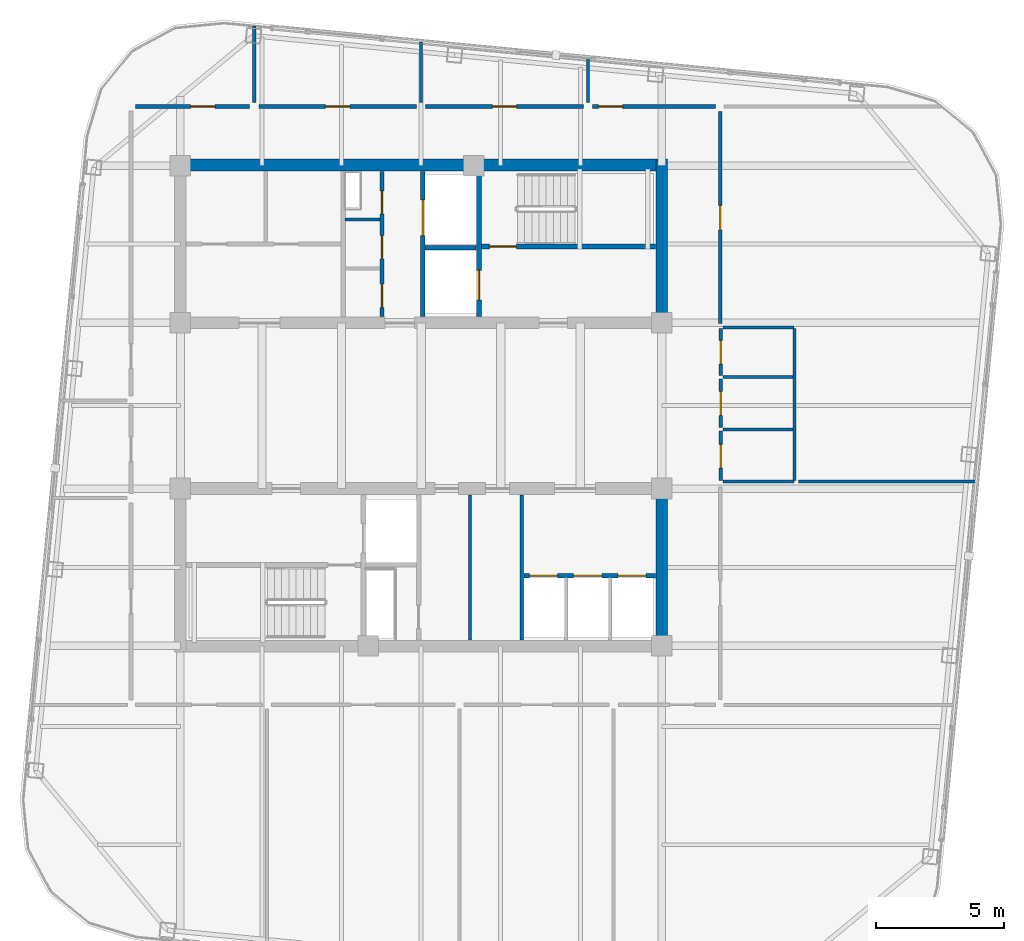
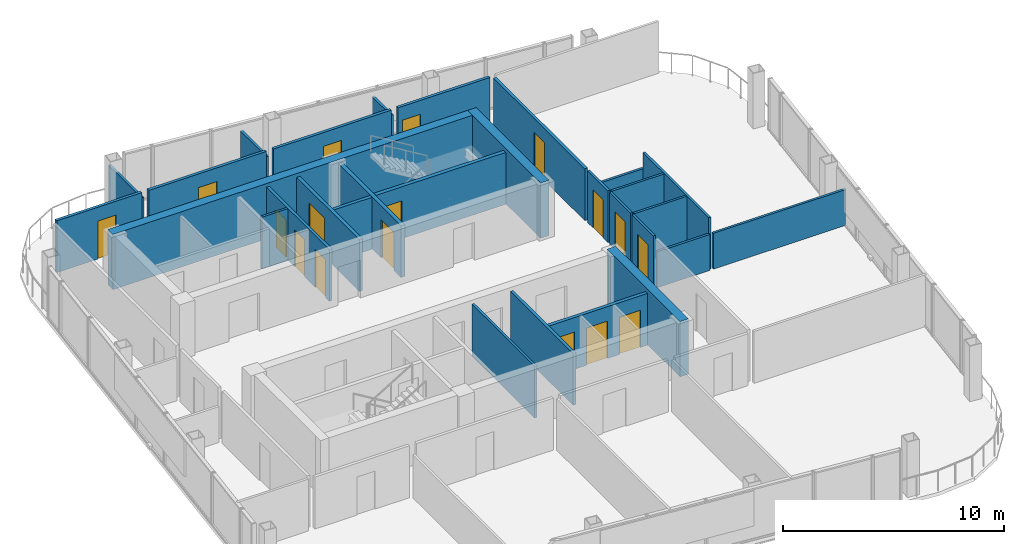
# One storey, part 18 of 23: 29 walls, 17 doors, 17 openings.
"""IFC4 building model written with IfcOpenShell, lengths in metres."""

from ifc_helpers import new_model, si_unit, direction, frame, frame_2d, origin, place, context, subcontext, project, spatial, rectangle, extrude, material, layer, layer_set, type_object, element, fill, save


model = new_model("IFC4")

# Units and contexts
model_context = context("Model", 3, precision=1e-05, world=origin(), true_north=direction((0.0, 1.0)))
body_context = subcontext(model_context, "Body", "Model", "MODEL_VIEW")
ifc_project = project(units=[si_unit("LENGTHUNIT", "METRE"), si_unit("AREAUNIT", "SQUARE_METRE"), si_unit("VOLUMEUNIT", "CUBIC_METRE"), si_unit("PLANEANGLEUNIT", "RADIAN"), si_unit("MASSUNIT", "GRAM", prefix="KILO")], contexts=[model_context])

# Site, building, storey
site_placement = place(None, origin())
site = spatial("IfcSite", under=ifc_project, at=site_placement, CompositionType="ELEMENT")
building_placement = place(site_placement, origin())
building = spatial("IfcBuilding", under=site, at=building_placement, Name="Qhalaya Broadcast Tower", CompositionType="ELEMENT")
storey_placement = place(building_placement, frame((0.0, 0.0, 261.14990234375)))
storey = spatial("IfcBuildingStorey", under=building, at=storey_placement, Name="L77", CompositionType="ELEMENT", Elevation=261.14990234375)

# Wall, openings, doors
ifc_material_1 = material(Name="Gypsum Acoustic Partition")
ifc_layer_1 = layer(ifc_material_1, 0.14990234375, Name="Gypsum Acoustic Partition")
ifc_layer_set_1 = layer_set([ifc_layer_1], Name="Gypsum Acoustic Partition")
wall_type_1 = type_object("IfcWallType", Name="Corridor & Tenancy Acoustic Partition 150", PredefinedType="PARTITIONING", material=ifc_layer_set_1)
wall_1_placement = place(storey_placement, frame((-1.52001953125, 4.070068359375, 0.0), z_axis=(0.0, 0.0, 1.0), x_axis=(0.0, 1.0, 0.0)))
wall_1 = element("IfcWall", 1, at=wall_1_placement, inside=storey, type_object=wall_type_1, Name="L77 Partition Wall NCW-SVL", PredefinedType="PARTITIONING", context=body_context, shape_type="SweptSolid", body=[
    extrude(rectangle(XDim=5.659912109375, YDim=0.14990234375, at=frame_2d((2.830078125, 0.0))), origin(), (0.0, 0.0, 1.0), 2.860107421875),
])
opening_1_placement = place(wall_1_placement, frame((4.0, 0.0, 0.0)))
opening_1 = element("IfcOpeningElement", 2, at=opening_1_placement, cuts=wall_1, Name="Opening D06", PredefinedType="OPENING", context=body_context, shape_type="SweptSolid", body=[
    extrude(rectangle(XDim=0.89990234375, YDim=2.050048828125, at=frame_2d((0.449951171875, 1.02490234375))), frame((0.0, 0.0869140625, 0.0), z_axis=(0.0, -1.0, 0.0), x_axis=(1.0, 0.0, 0.0)), (0.0, 0.0, 1.0), 0.173828125),
])
opening_2_placement = place(wall_1_placement, frame((2.25, 0.0, 0.0)))
opening_2 = element("IfcOpeningElement", 3, at=opening_2_placement, cuts=wall_1, Name="Opening D06", PredefinedType="OPENING", context=body_context, shape_type="SweptSolid", body=[
    extrude(rectangle(XDim=0.89990234375, YDim=2.050048828125, at=frame_2d((0.449951171875, 1.02490234375))), frame((0.0, 0.0869140625, 0.0), z_axis=(0.0, -1.0, 0.0), x_axis=(1.0, 0.0, 0.0)), (0.0, 0.0, 1.0), 0.173828125),
])
opening_3_placement = place(wall_1_placement, frame((0.35009765625, 0.0, 0.0)))
opening_3 = element("IfcOpeningElement", 4, at=opening_3_placement, cuts=wall_1, Name="Opening D12", PredefinedType="OPENING", context=body_context, shape_type="SweptSolid", body=[
    extrude(rectangle(XDim=0.919921875, YDim=2.10009765625, at=frame_2d((0.4599609375, 1.050048828125))), frame((0.0, 0.0869140625, 0.0), z_axis=(0.0, -1.0, 0.0), x_axis=(1.0, 0.0, 0.0)), (0.0, 0.0, 1.0), 0.173828125),
])
ifc_material_2 = material(Name="Timber Veneer Acoustic Door", Category="wood")
door_type_1 = type_object("IfcDoorType", Name="Accessible WC & Restroom Door D12", OperationType="NOTDEFINED", PredefinedType="DOOR", material=ifc_material_2)
door_1_placement = place(opening_3_placement, origin())
door_1 = element("IfcDoor", 5, at=door_1_placement, inside=storey, type_object=door_type_1, Name="L77 Door D-NCWC", OperationType="SINGLE_SWING_RIGHT", OverallHeight=2.10009765625, OverallWidth=0.919921875, PredefinedType="DOOR", context=body_context, shape_type="SweptSolid", body=[
    extrude(rectangle(XDim=0.919921875, YDim=2.10009765625, at=frame_2d((0.4599609375, 1.050048828125))), frame((0.0, 0.02490234375, 0.0), z_axis=(0.0, -1.0, 0.0), x_axis=(1.0, 0.0, 0.0)), (0.0, 0.0, 1.0), 0.050048828125),
])
fill(opening_3, door_1)
ifc_material_3 = material(Name="Fire-Rated Steel Door", Category="steel")
door_type_2 = type_object("IfcDoorType", Name="Riser & Electrical Shaft Access Door D06", OperationType="NOTDEFINED", PredefinedType="DOOR", material=ifc_material_3)
door_2_placement = place(opening_1_placement, origin())
door_2 = element("IfcDoor", 6, at=door_2_placement, inside=storey, type_object=door_type_2, Name="L77 Riser Shaft Access Door D-NRSR", OperationType="SINGLE_SWING_RIGHT", OverallHeight=2.050048828125, OverallWidth=0.89990234375, PredefinedType="DOOR", context=body_context, shape_type="SweptSolid", body=[
    extrude(rectangle(XDim=0.89990234375, YDim=2.050048828125, at=frame_2d((0.449951171875, 1.02490234375))), frame((0.0, 0.02490234375, 0.0), z_axis=(0.0, -1.0, 0.0), x_axis=(1.0, 0.0, 0.0)), (0.0, 0.0, 1.0), 0.050048828125),
])
fill(opening_1, door_2)
door_3_placement = place(opening_2_placement, origin())
door_3 = element("IfcDoor", 7, at=door_3_placement, inside=storey, type_object=door_type_2, Name="L77 Door D-NITR", OperationType="SINGLE_SWING_LEFT", OverallHeight=2.050048828125, OverallWidth=0.89990234375, PredefinedType="DOOR", context=body_context, shape_type="SweptSolid", body=[
    extrude(rectangle(XDim=0.89990234375, YDim=2.050048828125, at=frame_2d((0.449951171875, 1.02490234375))), frame((0.0, 0.02490234375, 0.0), z_axis=(0.0, -1.0, 0.0), x_axis=(1.0, 0.0, 0.0)), (0.0, 0.0, 1.0), 0.050048828125),
])
fill(opening_2, door_3)

# Wall
wall_2_placement = place(storey_placement, frame((3.919921875, -8.530029296875, 0.0), z_axis=(0.0, 0.0, 1.0), x_axis=(0.0, 1.0, 0.0)))
element("IfcWall", 8, at=wall_2_placement, inside=storey, type_object=wall_type_1, Name="L77 Partition Wall SCW-HSEP", PredefinedType="PARTITIONING", context=body_context, shape_type="SweptSolid", body=[
    extrude(rectangle(XDim=5.659912109375, YDim=0.14990234375, at=frame_2d((2.830078125, 0.0))), origin(), (0.0, 0.0, 1.0), 2.860107421875),
])

# Wall, opening, door
wall_3_placement = place(storey_placement, frame((-11.1201171875, 12.25, 0.0), z_axis=(0.0, 0.0, 1.0), x_axis=(1.0, 0.0, 0.0)))
wall_3 = element("IfcWall", 9, at=wall_3_placement, inside=storey, type_object=wall_type_1, Name="L77 Partition Wall W-COR-01", PredefinedType="PARTITIONING", context=body_context, shape_type="SweptSolid", body=[
    extrude(rectangle(XDim=4.440185546875, YDim=0.14990234375, at=frame_2d((2.22021484375, 0.0))), origin(), (0.0, 0.0, 1.0), 2.860107421875),
])
opening_4_placement = place(wall_3_placement, frame((2.14501953125, 0.0, 0.0)))
opening_4 = element("IfcOpeningElement", 10, at=opening_4_placement, cuts=wall_3, Name="Opening D10", PredefinedType="OPENING", context=body_context, shape_type="SweptSolid", body=[
    extrude(rectangle(XDim=0.949951171875, YDim=2.10009765625, at=frame_2d((0.47509765625, 1.050048828125))), frame((0.0, 0.0869140625, 0.0), z_axis=(0.0, -1.0, 0.0), x_axis=(1.0, 0.0, 0.0)), (0.0, 0.0, 1.0), 0.173828125),
])
door_type_3 = type_object("IfcDoorType", Name="Cellular Office & Edit Booth Door D10", OperationType="NOTDEFINED", PredefinedType="DOOR", material=ifc_material_2)
door_4_placement = place(opening_4_placement, origin())
door_4 = element("IfcDoor", 11, at=door_4_placement, inside=storey, type_object=door_type_3, Name="L77 Door D-RM01", OperationType="SINGLE_SWING_LEFT", OverallHeight=2.10009765625, OverallWidth=0.949951171875, PredefinedType="DOOR", context=body_context, shape_type="SweptSolid", body=[
    extrude(rectangle(XDim=0.949951171875, YDim=2.10009765625, at=frame_2d((0.47509765625, 1.050048828125))), frame((0.0, 0.02490234375, 0.0), z_axis=(0.0, -1.0, 0.0), x_axis=(1.0, 0.0, 0.0)), (0.0, 0.0, 1.0), 0.050048828125),
])
fill(opening_4, door_4)

wall_4_placement = place(storey_placement, frame((-6.320068359375, 12.25, 0.0), z_axis=(0.0, 0.0, 1.0), x_axis=(1.0, 0.0, 0.0)))
wall_4 = element("IfcWall", 12, at=wall_4_placement, inside=storey, type_object=wall_type_1, Name="L77 Partition Wall W-COR-02", PredefinedType="PARTITIONING", context=body_context, shape_type="SweptSolid", body=[
    extrude(rectangle(XDim=6.14013671875, YDim=0.14990234375, at=frame_2d((3.070068359375, 0.0))), origin(), (0.0, 0.0, 1.0), 2.860107421875),
])
opening_5_placement = place(wall_4_placement, frame((2.594970703125, 0.0, 0.0)))
opening_5 = element("IfcOpeningElement", 13, at=opening_5_placement, cuts=wall_4, Name="Opening D10", PredefinedType="OPENING", context=body_context, shape_type="SweptSolid", body=[
    extrude(rectangle(XDim=0.949951171875, YDim=2.10009765625, at=frame_2d((0.47509765625, 1.050048828125))), frame((0.0, 0.0869140625, 0.0), z_axis=(0.0, -1.0, 0.0), x_axis=(1.0, 0.0, 0.0)), (0.0, 0.0, 1.0), 0.173828125),
])
door_5_placement = place(opening_5_placement, origin())
door_5 = element("IfcDoor", 14, at=door_5_placement, inside=storey, type_object=door_type_3, Name="L77 Door D-RM02", OperationType="SINGLE_SWING_RIGHT", OverallHeight=2.10009765625, OverallWidth=0.949951171875, PredefinedType="DOOR", context=body_context, shape_type="SweptSolid", body=[
    extrude(rectangle(XDim=0.949951171875, YDim=2.10009765625, at=frame_2d((0.47509765625, 1.050048828125))), frame((0.0, 0.02490234375, 0.0), z_axis=(0.0, -1.0, 0.0), x_axis=(1.0, 0.0, 0.0)), (0.0, 0.0, 1.0), 0.050048828125),
])
fill(opening_5, door_5)

wall_5_placement = place(storey_placement, frame((0.179931640625, 12.25, 0.0), z_axis=(0.0, 0.0, 1.0), x_axis=(1.0, 0.0, 0.0)))
wall_5 = element("IfcWall", 15, at=wall_5_placement, inside=storey, type_object=wall_type_1, Name="L77 Partition Wall W-COR-03", PredefinedType="PARTITIONING", context=body_context, shape_type="SweptSolid", body=[
    extrude(rectangle(XDim=6.14013671875, YDim=0.14990234375, at=frame_2d((3.070068359375, 0.0))), origin(), (0.0, 0.0, 1.0), 2.860107421875),
])
opening_6_placement = place(wall_5_placement, frame((2.594970703125, 0.0, 0.0)))
opening_6 = element("IfcOpeningElement", 16, at=opening_6_placement, cuts=wall_5, Name="Opening D10", PredefinedType="OPENING", context=body_context, shape_type="SweptSolid", body=[
    extrude(rectangle(XDim=0.949951171875, YDim=2.10009765625, at=frame_2d((0.47509765625, 1.050048828125))), frame((0.0, 0.0869140625, 0.0), z_axis=(0.0, -1.0, 0.0), x_axis=(1.0, 0.0, 0.0)), (0.0, 0.0, 1.0), 0.173828125),
])
door_6_placement = place(opening_6_placement, origin())
door_6 = element("IfcDoor", 17, at=door_6_placement, inside=storey, type_object=door_type_3, Name="L77 Door D-RM03", OperationType="SINGLE_SWING_LEFT", OverallHeight=2.10009765625, OverallWidth=0.949951171875, PredefinedType="DOOR", context=body_context, shape_type="SweptSolid", body=[
    extrude(rectangle(XDim=0.949951171875, YDim=2.10009765625, at=frame_2d((0.47509765625, 1.050048828125))), frame((0.0, 0.02490234375, 0.0), z_axis=(0.0, -1.0, 0.0), x_axis=(1.0, 0.0, 0.0)), (0.0, 0.0, 1.0), 0.050048828125),
])
fill(opening_6, door_6)

wall_6_placement = place(storey_placement, frame((6.679931640625, 12.25, 0.0), z_axis=(0.0, 0.0, 1.0), x_axis=(1.0, 0.0, 0.0)))
wall_6 = element("IfcWall", 18, at=wall_6_placement, inside=storey, type_object=wall_type_1, Name="L77 Partition Wall W-COR-04", PredefinedType="PARTITIONING", context=body_context, shape_type="SweptSolid", body=[
    extrude(rectangle(XDim=4.7900390625, YDim=0.14990234375, at=frame_2d((2.39501953125, 0.0))), origin(), (0.0, 0.0, 1.0), 2.860107421875),
])
opening_7_placement = place(wall_6_placement, frame((0.219970703125, 0.0, 0.0)))
opening_7 = element("IfcOpeningElement", 19, at=opening_7_placement, cuts=wall_6, Name="Opening D10", PredefinedType="OPENING", context=body_context, shape_type="SweptSolid", body=[
    extrude(rectangle(XDim=0.949951171875, YDim=2.10009765625, at=frame_2d((0.47509765625, 1.050048828125))), frame((0.0, 0.0869140625, 0.0), z_axis=(0.0, -1.0, 0.0), x_axis=(1.0, 0.0, 0.0)), (0.0, 0.0, 1.0), 0.173828125),
])
door_7_placement = place(opening_7_placement, origin())
door_7 = element("IfcDoor", 20, at=door_7_placement, inside=storey, type_object=door_type_3, Name="L77 Door D-RM04", OperationType="SINGLE_SWING_RIGHT", OverallHeight=2.10009765625, OverallWidth=0.949951171875, PredefinedType="DOOR", context=body_context, shape_type="SweptSolid", body=[
    extrude(rectangle(XDim=0.949951171875, YDim=2.10009765625, at=frame_2d((0.47509765625, 1.050048828125))), frame((0.0, 0.02490234375, 0.0), z_axis=(0.0, -1.0, 0.0), x_axis=(1.0, 0.0, 0.0)), (0.0, 0.0, 1.0), 0.050048828125),
])
fill(opening_7, door_7)

wall_7_placement = place(storey_placement, frame((11.64990234375, 3.800048828125, 0.0), z_axis=(0.0, 0.0, 1.0), x_axis=(0.0, 1.0, 0.0)))
wall_7 = element("IfcWall", 21, at=wall_7_placement, inside=storey, type_object=wall_type_1, Name="L77 Partition Wall W-COR-13", PredefinedType="PARTITIONING", context=body_context, shape_type="SweptSolid", body=[
    extrude(rectangle(XDim=8.25, YDim=0.14990234375, at=frame_2d((4.125, 0.0))), origin(), (0.0, 0.0, 1.0), 2.860107421875),
])
opening_8_placement = place(wall_7_placement, frame((3.64990234375, 0.0, 0.0)))
opening_8 = element("IfcOpeningElement", 22, at=opening_8_placement, cuts=wall_7, Name="Opening D10", PredefinedType="OPENING", context=body_context, shape_type="SweptSolid", body=[
    extrude(rectangle(XDim=0.949951171875, YDim=2.10009765625, at=frame_2d((0.47509765625, 1.050048828125))), frame((0.0, 0.0869140625, 0.0), z_axis=(0.0, -1.0, 0.0), x_axis=(1.0, 0.0, 0.0)), (0.0, 0.0, 1.0), 0.173828125),
])
door_8_placement = place(opening_8_placement, origin())
door_8 = element("IfcDoor", 23, at=door_8_placement, inside=storey, type_object=door_type_3, Name="L77 Door D-RM13", OperationType="SINGLE_SWING_LEFT", OverallHeight=2.10009765625, OverallWidth=0.949951171875, PredefinedType="DOOR", context=body_context, shape_type="SweptSolid", body=[
    extrude(rectangle(XDim=0.949951171875, YDim=2.10009765625, at=frame_2d((0.47509765625, 1.050048828125))), frame((0.0, 0.02490234375, 0.0), z_axis=(0.0, -1.0, 0.0), x_axis=(1.0, 0.0, 0.0)), (0.0, 0.0, 1.0), 0.050048828125),
])
fill(opening_8, door_8)

ifc_material_4 = material(Name="Concrete C50/60", Category="concrete")
ifc_layer_2 = layer(ifc_material_4, 0.199951171875, Name="Concrete C50/60")
ifc_layer_set_2 = layer_set([ifc_layer_2], Name="Concrete C50/60")
wall_type_2 = type_object("IfcWallType", Name="Load-Bearing Stair Shaft Wall 200", PredefinedType="SHEAR", material=ifc_layer_set_2)
wall_8_placement = place(storey_placement, frame((2.360107421875, 6.804931640625, 0.0), z_axis=(0.0, 0.0, 1.0), x_axis=(1.0, 0.0, 0.0)))
wall_8 = element("IfcWall", 24, at=wall_8_placement, inside=storey, type_object=wall_type_2, Name="L77 Stair Core Shear Wall NCW-ST1", PredefinedType="SHEAR", context=body_context, shape_type="SweptSolid", body=[
    extrude(rectangle(XDim=6.769775390625, YDim=0.199951171875, at=frame_2d((3.384765625, 0.0))), origin(), (0.0, 0.0, 1.0), 2.860107421875),
])
opening_9_placement = place(wall_8_placement, frame((0.300048828125, 0.0, 0.0)))
opening_9 = element("IfcOpeningElement", 25, at=opening_9_placement, cuts=wall_8, Name="Opening D03", PredefinedType="OPENING", context=body_context, shape_type="SweptSolid", body=[
    extrude(rectangle(XDim=1.050048828125, YDim=2.080078125, at=frame_2d((0.52490234375, 1.0400390625))), frame((0.0, 0.112060546875, 0.0), z_axis=(0.0, -1.0, 0.0), x_axis=(1.0, 0.0, 0.0)), (0.0, 0.0, 1.0), 0.223876953125),
])
door_type_4 = type_object("IfcDoorType", Name="Core Stair Protected Fire Door D03", OperationType="NOTDEFINED", PredefinedType="DOOR", material=ifc_material_3)
door_9_placement = place(opening_9_placement, origin())
door_9 = element("IfcDoor", 26, at=door_9_placement, inside=storey, type_object=door_type_4, Name="L77 Door D-NST1", OperationType="SINGLE_SWING_LEFT", OverallHeight=2.080078125, OverallWidth=1.050048828125, PredefinedType="DOOR", context=body_context, shape_type="SweptSolid", body=[
    extrude(rectangle(XDim=1.050048828125, YDim=2.080078125, at=frame_2d((0.52490234375, 1.0400390625))), frame((0.0, 0.02490234375, 0.0), z_axis=(0.0, -1.0, 0.0), x_axis=(1.0, 0.0, 0.0)), (0.0, 0.0, 1.0), 0.050048828125),
])
fill(opening_9, door_9)

wall_9_placement = place(storey_placement, frame((2.25, 4.070068359375, 0.0), z_axis=(0.0, 0.0, 1.0), x_axis=(0.0, 1.0, 0.0)))
wall_9 = element("IfcWall", 27, at=wall_9_placement, inside=storey, type_object=wall_type_2, Name="L77 Stair Core Shear Wall NCW-FF", PredefinedType="SHEAR", context=body_context, shape_type="SweptSolid", body=[
    extrude(rectangle(XDim=5.659912109375, YDim=0.199951171875, at=frame_2d((2.830078125, 0.0))), origin(), (0.0, 0.0, 1.0), 2.860107421875),
])
opening_10_placement = place(wall_9_placement, frame((0.64990234375, 0.0, 0.0)))
opening_10 = element("IfcOpeningElement", 28, at=opening_10_placement, cuts=wall_9, Name="Opening LD2", PredefinedType="OPENING", context=body_context, shape_type="SweptSolid", body=[
    extrude(rectangle(XDim=1.14990234375, YDim=2.080078125, at=frame_2d((0.574951171875, 1.0400390625))), frame((0.0, 0.112060546875, 0.0), z_axis=(0.0, -1.0, 0.0), x_axis=(1.0, 0.0, 0.0)), (0.0, 0.0, 1.0), 0.223876953125),
])
ifc_material_5 = material(Name="Brushed Stainless Steel Lift Door", Category="steel")
door_type_5 = type_object("IfcDoorType", Name="Firefighting Lift Sliding Landing Door LD2", OperationType="DOUBLE_DOOR_SLIDING", PredefinedType="DOOR", material=ifc_material_5)
door_10_placement = place(opening_10_placement, origin())
door_10 = element("IfcDoor", 29, at=door_10_placement, inside=storey, type_object=door_type_5, Name="L77 Door LD-FF1", OperationType="DOUBLE_DOOR_SLIDING", OverallHeight=2.080078125, OverallWidth=1.14990234375, PredefinedType="DOOR", context=body_context, shape_type="SweptSolid", body=[
    extrude(rectangle(XDim=1.14990234375, YDim=2.080078125, at=frame_2d((0.574951171875, 1.0400390625))), frame((0.0, 0.02490234375, 0.0), z_axis=(0.0, -1.0, 0.0), x_axis=(1.0, 0.0, 0.0)), (0.0, 0.0, 1.0), 0.050048828125),
])
fill(opening_10, door_10)

# Walls
ifc_layer_3 = layer(ifc_material_1, 0.1201171875, Name="Gypsum Acoustic Partition")
ifc_layer_set_3 = layer_set([ifc_layer_3], Name="Gypsum Acoustic Partition")
wall_type_3 = type_object("IfcWallType", Name="Office, Booth & Sanitary Partition 120", PredefinedType="PARTITIONING", material=ifc_layer_set_3)
wall_10_placement = place(storey_placement, frame((-2.9599609375, 7.85009765625, 0.0), z_axis=(0.0, 0.0, 1.0), x_axis=(1.0, 0.0, 0.0)))
element("IfcWall", 30, at=wall_10_placement, inside=storey, type_object=wall_type_3, Name="L77 Partition Wall NCW-VB2", PredefinedType="PARTITIONING", context=body_context, shape_type="SweptSolid", body=[
    extrude(rectangle(XDim=1.35986328125, YDim=0.1201171875, at=frame_2d((0.679931640625, 0.0))), origin(), (0.0, 0.0, 1.0), 2.860107421875),
])
wall_11_placement = place(storey_placement, frame((1.89990234375, -8.530029296875, 0.0), z_axis=(0.0, 0.0, 1.0), x_axis=(0.0, 1.0, 0.0)))
element("IfcWall", 31, at=wall_11_placement, inside=storey, type_object=wall_type_3, Name="L77 Partition Wall SCW-RKB", PredefinedType="PARTITIONING", context=body_context, shape_type="SweptSolid", body=[
    extrude(rectangle(XDim=5.659912109375, YDim=0.1201171875, at=frame_2d((2.830078125, 0.0))), origin(), (0.0, 0.0, 1.0), 2.860107421875),
])

# Wall, opening, door
wall_12_placement = place(storey_placement, frame((11.669921875, -2.320068359375, 0.0), z_axis=(0.0, 0.0, 1.0), x_axis=(0.0, 1.0, 0.0)))
wall_12 = element("IfcWall", 32, at=wall_12_placement, inside=storey, type_object=wall_type_3, Name="L77 Partition Wall W-WCWA", PredefinedType="PARTITIONING", context=body_context, shape_type="SweptSolid", body=[
    extrude(rectangle(XDim=1.940185546875, YDim=0.1201171875, at=frame_2d((0.97021484375, 0.0))), origin(), (0.0, 0.0, 1.0), 2.860107421875),
])
opening_11_placement = place(wall_12_placement, frame((0.4951171875, 0.0, 0.0)))
opening_11 = element("IfcOpeningElement", 33, at=opening_11_placement, cuts=wall_12, Name="Opening D12", PredefinedType="OPENING", context=body_context, shape_type="SweptSolid", body=[
    extrude(rectangle(XDim=0.919921875, YDim=2.10009765625, at=frame_2d((0.4599609375, 1.050048828125))), frame((0.0, 0.072021484375, 0.0), z_axis=(0.0, -1.0, 0.0), x_axis=(1.0, 0.0, 0.0)), (0.0, 0.0, 1.0), 0.14404296875),
])
door_11_placement = place(opening_11_placement, origin())
door_11 = element("IfcDoor", 34, at=door_11_placement, inside=storey, type_object=door_type_1, Name="L77 Door D-WCA", OperationType="SINGLE_SWING_LEFT", OverallHeight=2.10009765625, OverallWidth=0.919921875, PredefinedType="DOOR", context=body_context, shape_type="SweptSolid", body=[
    extrude(rectangle(XDim=0.919921875, YDim=2.10009765625, at=frame_2d((0.4599609375, 1.050048828125))), frame((0.0, 0.02490234375, 0.0), z_axis=(0.0, -1.0, 0.0), x_axis=(1.0, 0.0, 0.0)), (0.0, 0.0, 1.0), 0.050048828125),
])
fill(opening_11, door_11)

wall_13_placement = place(storey_placement, frame((11.669921875, -0.25, 0.0), z_axis=(0.0, 0.0, 1.0), x_axis=(0.0, 1.0, 0.0)))
wall_13 = element("IfcWall", 35, at=wall_13_placement, inside=storey, type_object=wall_type_3, Name="L77 Partition Wall W-WCWM", PredefinedType="PARTITIONING", context=body_context, shape_type="SweptSolid", body=[
    extrude(rectangle(XDim=1.89990234375, YDim=0.1201171875, at=frame_2d((0.949951171875, 0.0))), origin(), (0.0, 0.0, 1.0), 2.860107421875),
])
opening_12_placement = place(wall_13_placement, frame((0.47509765625, 0.0, 0.0)))
opening_12 = element("IfcOpeningElement", 36, at=opening_12_placement, cuts=wall_13, Name="Opening D12", PredefinedType="OPENING", context=body_context, shape_type="SweptSolid", body=[
    extrude(rectangle(XDim=0.919921875, YDim=2.10009765625, at=frame_2d((0.4599609375, 1.050048828125))), frame((0.0, 0.072021484375, 0.0), z_axis=(0.0, -1.0, 0.0), x_axis=(1.0, 0.0, 0.0)), (0.0, 0.0, 1.0), 0.14404296875),
])
door_12_placement = place(opening_12_placement, origin())
door_12 = element("IfcDoor", 37, at=door_12_placement, inside=storey, type_object=door_type_1, Name="L77 Door D-WCM", OperationType="SINGLE_SWING_RIGHT", OverallHeight=2.10009765625, OverallWidth=0.919921875, PredefinedType="DOOR", context=body_context, shape_type="SweptSolid", body=[
    extrude(rectangle(XDim=0.919921875, YDim=2.10009765625, at=frame_2d((0.4599609375, 1.050048828125))), frame((0.0, 0.02490234375, 0.0), z_axis=(0.0, -1.0, 0.0), x_axis=(1.0, 0.0, 0.0)), (0.0, 0.0, 1.0), 0.050048828125),
])
fill(opening_12, door_12)

wall_14_placement = place(storey_placement, frame((11.669921875, 1.780029296875, 0.0), z_axis=(0.0, 0.0, 1.0), x_axis=(0.0, 1.0, 0.0)))
wall_14 = element("IfcWall", 38, at=wall_14_placement, inside=storey, type_object=wall_type_3, Name="L77 Partition Wall W-WCWF", PredefinedType="PARTITIONING", context=body_context, shape_type="SweptSolid", body=[
    extrude(rectangle(XDim=1.830078125, YDim=0.1201171875, at=frame_2d((0.9150390625, 0.0))), origin(), (0.0, 0.0, 1.0), 2.860107421875),
])
opening_13_placement = place(wall_14_placement, frame((0.43994140625, 0.0, 0.0)))
opening_13 = element("IfcOpeningElement", 39, at=opening_13_placement, cuts=wall_14, Name="Opening D12", PredefinedType="OPENING", context=body_context, shape_type="SweptSolid", body=[
    extrude(rectangle(XDim=0.919921875, YDim=2.10009765625, at=frame_2d((0.4599609375, 1.050048828125))), frame((0.0, 0.072021484375, 0.0), z_axis=(0.0, -1.0, 0.0), x_axis=(1.0, 0.0, 0.0)), (0.0, 0.0, 1.0), 0.14404296875),
])
door_13_placement = place(opening_13_placement, origin())
door_13 = element("IfcDoor", 40, at=door_13_placement, inside=storey, type_object=door_type_1, Name="L77 Door D-WCF", OperationType="SINGLE_SWING_LEFT", OverallHeight=2.10009765625, OverallWidth=0.919921875, PredefinedType="DOOR", context=body_context, shape_type="SweptSolid", body=[
    extrude(rectangle(XDim=0.919921875, YDim=2.10009765625, at=frame_2d((0.4599609375, 1.050048828125))), frame((0.0, 0.02490234375, 0.0), z_axis=(0.0, -1.0, 0.0), x_axis=(1.0, 0.0, 0.0)), (0.0, 0.0, 1.0), 0.050048828125),
])
fill(opening_13, door_13)

# Walls
wall_15_placement = place(storey_placement, frame((14.550048828125, -2.320068359375, 0.0), z_axis=(0.0, 0.0, 1.0), x_axis=(0.0, 1.0, 0.0)))
element("IfcWall", 41, at=wall_15_placement, inside=storey, type_object=wall_type_3, Name="L77 Partition Wall W-WCE", PredefinedType="PARTITIONING", context=body_context, shape_type="SweptSolid", body=[
    extrude(rectangle(XDim=5.93017578125, YDim=0.1201171875, at=frame_2d((2.965087890625, 0.0))), origin(), (0.0, 0.0, 1.0), 2.860107421875),
])
for number, where, z_axis, x_axis, name in (
    (42, (11.760009765625, -2.35009765625, 0.0), (0.0, 0.0, 1.0), (1.0, 0.0, 0.0), "L77 Partition Wall W-WCS"),
    (43, (11.760009765625, 3.639892578125, 0.0), (0.0, 0.0, 1.0), (1.0, 0.0, 0.0), "L77 Partition Wall W-WCN"),
):
    element("IfcWall", number, at=place(storey_placement, frame(where, z_axis=z_axis, x_axis=x_axis)), inside=storey, type_object=wall_type_3, Name=name, PredefinedType="PARTITIONING", context=body_context, shape_type="SweptSolid", body=[
        extrude(rectangle(XDim=2.760009765625, YDim=0.1201171875, at=frame_2d((1.3798828125, 0.0))), origin(), (0.0, 0.0, 1.0), 1.981201171875),
    ])
for number, where, z_axis, x_axis, name in (
    (44, (11.760009765625, -0.320068359375, 0.0), (0.0, 0.0, 1.0), (1.0, 0.0, 0.0), "L77 Partition Wall W-WCD1"),
    (45, (11.760009765625, 1.719970703125, 0.0), (0.0, 0.0, 1.0), (1.0, 0.0, 0.0), "L77 Partition Wall W-WCD2"),
):
    element("IfcWall", number, at=place(storey_placement, frame(where, z_axis=z_axis, x_axis=x_axis)), inside=storey, type_object=wall_type_3, Name=name, PredefinedType="PARTITIONING", context=body_context, shape_type="SweptSolid", body=[
        extrude(rectangle(XDim=2.719970703125, YDim=0.1201171875, at=frame_2d((1.35986328125, 0.0))), origin(), (0.0, 0.0, 1.0), 2.860107421875),
    ])
wall_16_placement = place(storey_placement, frame((-6.5, 12.409912109375, 0.0), z_axis=(0.0, 0.0, 1.0), x_axis=(0.0, 1.0, 0.0)))
element("IfcWall", 46, at=wall_16_placement, inside=storey, type_object=wall_type_3, Name="L77 Partition Wall W-DIVN1", PredefinedType="PARTITIONING", context=body_context, shape_type="SweptSolid", body=[
    extrude(rectangle(XDim=2.9794921875, YDim=0.1201171875, at=frame_2d((1.48974609375, 0.0))), origin(), (0.0, 0.0, 1.0), 2.381103515625),
])
wall_17_placement = place(storey_placement, frame((0.0, 12.409912109375, 0.0), z_axis=(0.0, 0.0, 1.0), x_axis=(0.0, 1.0, 0.0)))
element("IfcWall", 47, at=wall_17_placement, inside=storey, type_object=wall_type_3, Name="L77 Partition Wall W-DIVN2", PredefinedType="PARTITIONING", context=body_context, shape_type="SweptSolid", body=[
    extrude(rectangle(XDim=2.353515625, YDim=0.1201171875, at=frame_2d((1.1767578125, 0.0))), origin(), (0.0, 0.0, 1.0), 2.381103515625),
])
wall_18_placement = place(storey_placement, frame((6.5, 12.409912109375, 0.0), z_axis=(0.0, 0.0, 1.0), x_axis=(0.0, 1.0, 0.0)))
element("IfcWall", 48, at=wall_18_placement, inside=storey, type_object=wall_type_3, Name="L77 Partition Wall W-DIVN3", PredefinedType="PARTITIONING", context=body_context, shape_type="SweptSolid", body=[
    extrude(rectangle(XDim=1.727783203125, YDim=0.1201171875, at=frame_2d((0.86376953125, 0.0))), origin(), (0.0, 0.0, 1.0), 2.381103515625),
])
wall_19_placement = place(storey_placement, frame((14.68994140625, -2.35009765625, 0.0), z_axis=(0.0, 0.0, 1.0), x_axis=(1.0, 0.0, 0.0)))
element("IfcWall", 49, at=wall_19_placement, inside=storey, type_object=wall_type_3, Name="L77 Partition Wall W-DIVE-WC", PredefinedType="PARTITIONING", context=body_context, shape_type="SweptSolid", body=[
    extrude(rectangle(XDim=6.92724609375, YDim=0.1201171875, at=frame_2d((3.463623046875, 0.0))), origin(), (0.0, 0.0, 1.0), 1.981201171875),
])

# Wall, opening, door
ifc_layer_4 = layer(ifc_material_1, 0.175048828125, Name="Gypsum Acoustic Partition")
ifc_layer_set_4 = layer_set([ifc_layer_4], Name="Gypsum Acoustic Partition")
wall_type_4 = type_object("IfcWallType", Name="Shaft & Riser Fire Partition 175", PredefinedType="PARTITIONING", material=ifc_layer_set_4)
wall_20_placement = place(storey_placement, frame((0.06005859375, 4.070068359375, 0.0), z_axis=(0.0, 0.0, 1.0), x_axis=(0.0, 1.0, 0.0)))
wall_20 = element("IfcWall", 50, at=wall_20_placement, inside=storey, type_object=wall_type_4, Name="L77 Partition Wall NCW-SVW", PredefinedType="PARTITIONING", context=body_context, shape_type="SweptSolid", body=[
    extrude(rectangle(XDim=5.659912109375, YDim=0.175048828125, at=frame_2d((2.830078125, 0.0))), origin(), (0.0, 0.0, 1.0), 2.860107421875),
])
opening_14_placement = place(wall_20_placement, frame((3.14990234375, 0.0, 0.0)))
opening_14 = element("IfcOpeningElement", 51, at=opening_14_placement, cuts=wall_20, Name="Opening LD3", PredefinedType="OPENING", context=body_context, shape_type="SweptSolid", body=[
    extrude(rectangle(XDim=1.39990234375, YDim=2.1201171875, at=frame_2d((0.699951171875, 1.06005859375))), frame((0.0, 0.099609375, 0.0), z_axis=(0.0, -1.0, 0.0), x_axis=(1.0, 0.0, 0.0)), (0.0, 0.0, 1.0), 0.198974609375),
])
door_type_6 = type_object("IfcDoorType", Name="Service Lift Wide Sliding Landing Door LD3", OperationType="DOUBLE_DOOR_SLIDING", PredefinedType="DOOR", material=ifc_material_5)
door_14_placement = place(opening_14_placement, origin())
door_14 = element("IfcDoor", 52, at=door_14_placement, inside=storey, type_object=door_type_6, Name="L77 Door LD-SV1", OperationType="DOUBLE_DOOR_SLIDING", OverallHeight=2.1201171875, OverallWidth=1.39990234375, PredefinedType="DOOR", context=body_context, shape_type="SweptSolid", body=[
    extrude(rectangle(XDim=1.39990234375, YDim=2.1201171875, at=frame_2d((0.699951171875, 1.06005859375))), frame((0.0, 0.02490234375, 0.0), z_axis=(0.0, -1.0, 0.0), x_axis=(1.0, 0.0, 0.0)), (0.0, 0.0, 1.0), 0.050048828125),
])
fill(opening_14, door_14)

# Wall
wall_21_placement = place(storey_placement, frame((0.159912109375, 6.75, 0.0), z_axis=(0.0, 0.0, 1.0), x_axis=(1.0, 0.0, 0.0)))
element("IfcWall", 53, at=wall_21_placement, inside=storey, type_object=wall_type_4, Name="L77 Partition Wall NCW-SVM", PredefinedType="PARTITIONING", context=body_context, shape_type="SweptSolid", body=[
    extrude(rectangle(XDim=1.97998046875, YDim=0.175048828125, at=frame_2d((0.989990234375, 0.0))), origin(), (0.0, 0.0, 1.0), 2.860107421875),
])

# Wall, openings, doors
wall_22_placement = place(storey_placement, frame((4.0, -6.02001953125, 0.0), z_axis=(0.0, 0.0, 1.0), x_axis=(1.0, 0.0, 0.0)))
wall_22 = element("IfcWall", 54, at=wall_22_placement, inside=storey, type_object=wall_type_4, Name="L77 Partition Wall SCW-SLB", PredefinedType="PARTITIONING", context=body_context, shape_type="SweptSolid", body=[
    extrude(rectangle(XDim=5.1298828125, YDim=0.175048828125, at=frame_2d((2.56494140625, 0.0))), origin(), (0.0, 0.0, 1.0), 2.860107421875),
])
opening_15_placement = place(wall_22_placement, frame((0.219970703125, 0.0, 0.0)))
opening_15 = element("IfcOpeningElement", 55, at=opening_15_placement, cuts=wall_22, Name="Opening LD1", PredefinedType="OPENING", context=body_context, shape_type="SweptSolid", body=[
    extrude(rectangle(XDim=1.10009765625, YDim=2.06005859375, at=frame_2d((0.550048828125, 1.030029296875))), frame((0.0, 0.099609375, 0.0), z_axis=(0.0, -1.0, 0.0), x_axis=(1.0, 0.0, 0.0)), (0.0, 0.0, 1.0), 0.198974609375),
])
opening_16_placement = place(wall_22_placement, frame((1.93994140625, 0.0, 0.0)))
opening_16 = element("IfcOpeningElement", 56, at=opening_16_placement, cuts=wall_22, Name="Opening LD1", PredefinedType="OPENING", context=body_context, shape_type="SweptSolid", body=[
    extrude(rectangle(XDim=1.10009765625, YDim=2.06005859375, at=frame_2d((0.550048828125, 1.030029296875))), frame((0.0, 0.099609375, 0.0), z_axis=(0.0, -1.0, 0.0), x_axis=(1.0, 0.0, 0.0)), (0.0, 0.0, 1.0), 0.198974609375),
])
opening_17_placement = place(wall_22_placement, frame((3.659912109375, 0.0, 0.0)))
opening_17 = element("IfcOpeningElement", 57, at=opening_17_placement, cuts=wall_22, Name="Opening LD1", PredefinedType="OPENING", context=body_context, shape_type="SweptSolid", body=[
    extrude(rectangle(XDim=1.10009765625, YDim=2.06005859375, at=frame_2d((0.550048828125, 1.030029296875))), frame((0.0, 0.099609375, 0.0), z_axis=(0.0, -1.0, 0.0), x_axis=(1.0, 0.0, 0.0)), (0.0, 0.0, 1.0), 0.198974609375),
])
door_type_7 = type_object("IfcDoorType", Name="Passenger Lift Sliding Landing Door LD1", OperationType="DOUBLE_DOOR_SLIDING", PredefinedType="DOOR", material=ifc_material_5)
door_15_placement = place(opening_15_placement, origin())
door_15 = element("IfcDoor", 58, at=door_15_placement, inside=storey, type_object=door_type_7, Name="L77 Door LD-P6", OperationType="DOUBLE_DOOR_SLIDING", OverallHeight=2.06005859375, OverallWidth=1.10009765625, PredefinedType="DOOR", context=body_context, shape_type="SweptSolid", body=[
    extrude(rectangle(XDim=1.10009765625, YDim=2.06005859375, at=frame_2d((0.550048828125, 1.030029296875))), frame((0.0, 0.02490234375, 0.0), z_axis=(0.0, -1.0, 0.0), x_axis=(1.0, 0.0, 0.0)), (0.0, 0.0, 1.0), 0.050048828125),
])
fill(opening_15, door_15)
door_16_placement = place(opening_16_placement, origin())
door_16 = element("IfcDoor", 59, at=door_16_placement, inside=storey, type_object=door_type_7, Name="L77 Door LD-P7", OperationType="DOUBLE_DOOR_SLIDING", OverallHeight=2.06005859375, OverallWidth=1.10009765625, PredefinedType="DOOR", context=body_context, shape_type="SweptSolid", body=[
    extrude(rectangle(XDim=1.10009765625, YDim=2.06005859375, at=frame_2d((0.550048828125, 1.030029296875))), frame((0.0, 0.02490234375, 0.0), z_axis=(0.0, -1.0, 0.0), x_axis=(1.0, 0.0, 0.0)), (0.0, 0.0, 1.0), 0.050048828125),
])
fill(opening_16, door_16)
door_17_placement = place(opening_17_placement, origin())
door_17 = element("IfcDoor", 60, at=door_17_placement, inside=storey, type_object=door_type_7, Name="L77 Door LD-P8", OperationType="DOUBLE_DOOR_SLIDING", OverallHeight=2.06005859375, OverallWidth=1.10009765625, PredefinedType="DOOR", context=body_context, shape_type="SweptSolid", body=[
    extrude(rectangle(XDim=1.10009765625, YDim=2.06005859375, at=frame_2d((0.550048828125, 1.030029296875))), frame((0.0, 0.02490234375, 0.0), z_axis=(0.0, -1.0, 0.0), x_axis=(1.0, 0.0, 0.0)), (0.0, 0.0, 1.0), 0.050048828125),
])
fill(opening_17, door_17)

# Walls
ifc_layer_5 = layer(ifc_material_4, 0.449951171875, Name="Concrete C50/60")
ifc_layer_set_5 = layer_set([ifc_layer_5], Name="Concrete C50/60")
wall_type_5 = type_object("IfcWallType", Name="Upper Split-Core Shear Wall 450", PredefinedType="SHEAR", material=ifc_layer_set_5)
wall_23_placement = place(storey_placement, frame((-9.60009765625, 9.97509765625, 0.0), z_axis=(0.0, 0.0, 1.0), x_axis=(1.0, 0.0, 0.0)))
element("IfcWall", 61, at=wall_23_placement, inside=storey, type_object=wall_type_5, Name="L77 Split-Core Shear Wall CW-NN", PredefinedType="SHEAR", context=body_context, shape_type="SweptSolid", body=[
    extrude(rectangle(XDim=19.2001953125, YDim=0.449951171875, at=frame_2d((9.60009765625, 0.0))), origin(), (0.0, 0.0, 1.0), 3.050048828125),
])
wall_24_placement = place(storey_placement, frame((9.375, 3.60009765625, 0.0), z_axis=(0.0, 0.0, 1.0), x_axis=(0.0, 1.0, 0.0)))
element("IfcWall", 62, at=wall_24_placement, inside=storey, type_object=wall_type_5, Name="L77 Split-Core Shear Wall CW-NE", PredefinedType="SHEAR", context=body_context, shape_type="SweptSolid", body=[
    extrude(rectangle(XDim=6.599853515625, YDim=0.449951171875, at=frame_2d((3.2998046875, 0.0))), origin(), (0.0, 0.0, 1.0), 3.050048828125),
])
wall_25_placement = place(storey_placement, frame((9.375, -9.0, 0.0), z_axis=(0.0, 0.0, 1.0), x_axis=(0.0, 1.0, 0.0)))
element("IfcWall", 63, at=wall_25_placement, inside=storey, type_object=wall_type_5, Name="L77 Split-Core Shear Wall CW-SE", PredefinedType="SHEAR", context=body_context, shape_type="SweptSolid", body=[
    extrude(rectangle(XDim=6.60009765625, YDim=0.449951171875, at=frame_2d((3.300048828125, 0.0))), origin(), (0.0, 0.0, 1.0), 3.050048828125),
])

save(model, "model.ifc")
